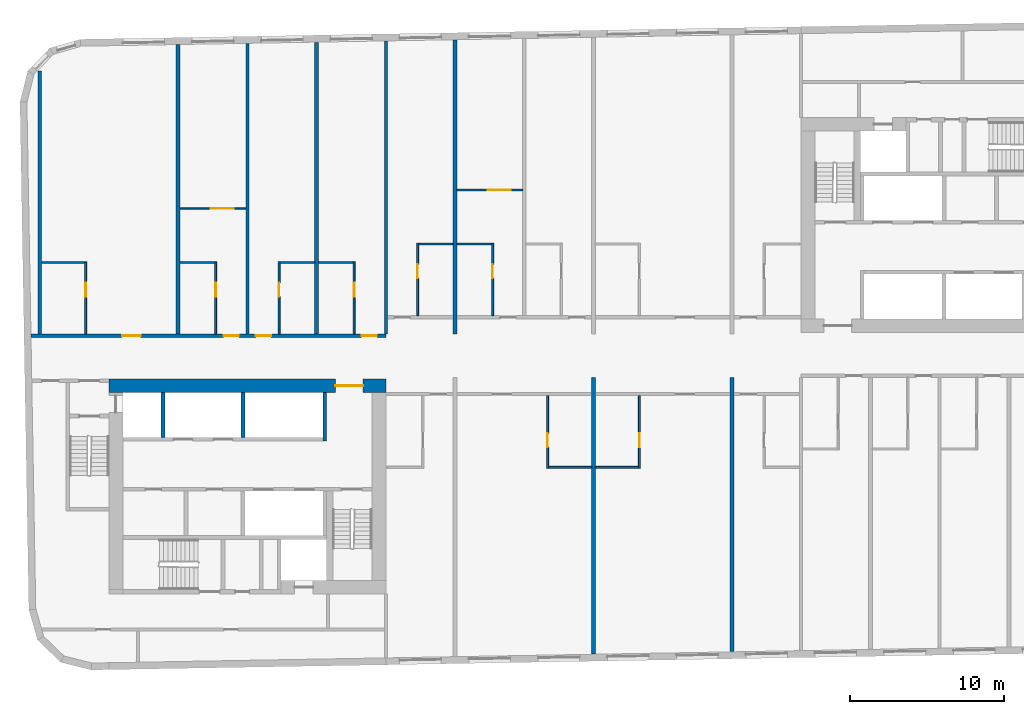
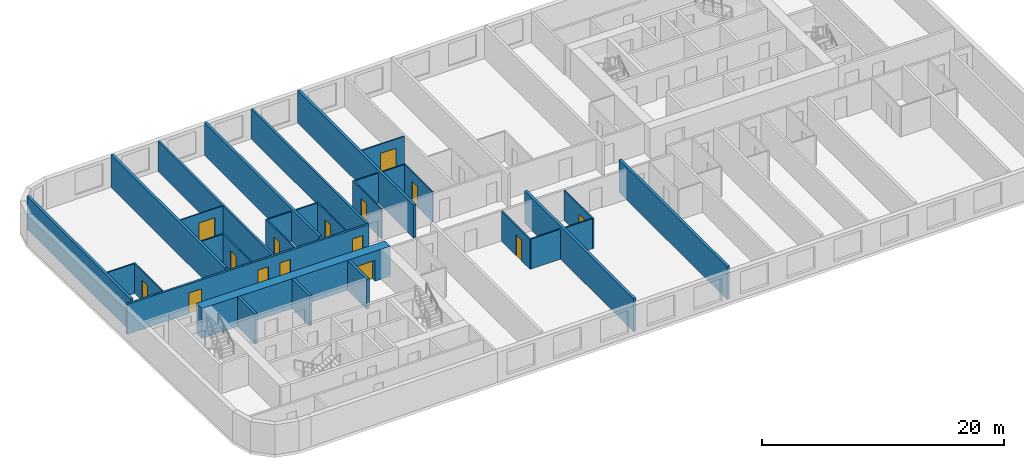
# One storey, part 3 of 11: 31 walls, 15 doors, 15 openings.
"""IFC4 building model written with IfcOpenShell, lengths in metres."""

from ifc_helpers import new_model, si_unit, direction, frame, frame_2d, origin, place, context, subcontext, project, spatial, rectangle, extrude, material, layer, layer_set, type_object, element, fill, save


model = new_model("IFC4")

# Units and contexts
model_context = context("Model", 3, precision=1e-05, world=origin(), true_north=direction((0.0, 1.0)))
body_context = subcontext(model_context, "Body", "Model", "MODEL_VIEW")
ifc_project = project(units=[si_unit("LENGTHUNIT", "METRE"), si_unit("AREAUNIT", "SQUARE_METRE"), si_unit("VOLUMEUNIT", "CUBIC_METRE"), si_unit("PLANEANGLEUNIT", "RADIAN"), si_unit("MASSUNIT", "GRAM", prefix="KILO")], contexts=[model_context])

# Site, building, storey
site_placement = place(None, origin())
site = spatial("IfcSite", under=ifc_project, at=site_placement, CompositionType="ELEMENT")
building_placement = place(site_placement, origin())
building = spatial("IfcBuilding", under=site, at=building_placement, Name="Kajstack Hotel Tower", CompositionType="ELEMENT")
storey_placement = place(building_placement, frame((0.0, 0.0, 250.699951171875)))
storey = spatial("IfcBuildingStorey", under=building, at=storey_placement, Name="L62", CompositionType="ELEMENT", Elevation=250.699951171875)

# Wall, opening, door
ifc_material_1 = material(Name="Concrete C60/75", Category="concrete")
ifc_layer_1 = layer(ifc_material_1, 0.89990234375)
ifc_layer_set_1 = layer_set([ifc_layer_1], Name="Core wall 900")
wall_type_1 = type_object("IfcWallType", Name="Core wall 900", PredefinedType="SHEAR", material=ifc_layer_set_1)
wall_1_placement = place(storey_placement, frame((-31.5, -1.949951171875, 0.0), z_axis=(0.0, 0.0, 1.0), x_axis=(1.0, 0.0, 0.0)))
wall_1 = element("IfcWall", 1, at=wall_1_placement, inside=storey, type_object=wall_type_1, Name="Core wall W RN", PredefinedType="SHEAR", context=body_context, shape_type="SweptSolid", body=[
    extrude(rectangle(XDim=18.0, YDim=0.89990234375, at=frame_2d((9.0, 0.0))), origin(), (0.0, 0.0, 1.0), 3.02001953125),
])
opening_1_placement = place(wall_1_placement, frame((14.72509765625, 0.0, 0.0)))
opening_1 = element("IfcOpeningElement", 2, at=opening_1_placement, cuts=wall_1, Name="Opening 62W07", PredefinedType="OPENING", context=body_context, shape_type="SweptSolid", body=[
    extrude(rectangle(XDim=1.800048828125, YDim=2.10009765625, at=frame_2d((0.89990234375, 1.050048828125))), frame((0.0, 0.4599609375, 0.0), z_axis=(0.0, -1.0, 0.0), x_axis=(1.0, 0.0, 0.0)), (0.0, 0.0, 1.0), 0.919921875),
])
ifc_material_2 = material(Name="Glazed steel frame, fire-rated glass", Category="steel")
door_type_1 = type_object("IfcDoorType", Name="Lobby double door 1800", OperationType="DOUBLE_DOOR_DOUBLE_SWING", PredefinedType="DOOR", material=ifc_material_2)
door_1_placement = place(opening_1_placement, origin())
door_1 = element("IfcDoor", 3, at=door_1_placement, inside=storey, type_object=door_type_1, Name="Door 62W07", OperationType="DOUBLE_DOOR_DOUBLE_SWING", OverallHeight=2.10009765625, OverallWidth=1.800048828125, PredefinedType="DOOR", context=body_context, shape_type="SweptSolid", body=[
    extrude(rectangle(XDim=1.800048828125, YDim=2.10009765625, at=frame_2d((0.89990234375, 1.050048828125))), frame((0.0, 0.02490234375, 0.0), z_axis=(0.0, -1.0, 0.0), x_axis=(1.0, 0.0, 0.0)), (0.0, 0.0, 1.0), 0.050048828125),
])
fill(opening_1, door_1)

# Wall, openings, doors
ifc_material_3 = material(Name="Gypsum board on steel studs, mineral wool", Category="steel")
ifc_layer_2 = layer(ifc_material_3, 0.199951171875)
ifc_layer_set_2 = layer_set([ifc_layer_2], Name="Corridor wall 200")
wall_type_2 = type_object("IfcWallType", Name="Corridor wall 200", PredefinedType="PARTITIONING", material=ifc_layer_set_2)
wall_2_placement = place(storey_placement, frame((-36.56591796875, 1.300048828125, 0.0), z_axis=(0.0, 0.0, 1.0), x_axis=(1.0, 0.0, 0.0)))
wall_2 = element("IfcWall", 4, at=wall_2_placement, inside=storey, type_object=wall_type_2, Name="G-wall-L62-003", PredefinedType="PARTITIONING", context=body_context, shape_type="SweptSolid", body=[
    extrude(rectangle(XDim=23.06591796875, YDim=0.199951171875, at=frame_2d((11.532958984375, 0.0))), origin(), (0.0, 0.0, 1.0), 3.02001953125),
])
opening_2_placement = place(wall_2_placement, frame((5.928955078125, 0.0, 0.0)))
opening_2 = element("IfcOpeningElement", 5, at=opening_2_placement, cuts=wall_2, Name="Opening 62001", PredefinedType="OPENING", context=body_context, shape_type="SweptSolid", body=[
    extrude(rectangle(XDim=1.199951171875, YDim=2.10009765625, at=frame_2d((0.60009765625, 1.050048828125))), frame((0.0, 0.10986328125, 0.0), z_axis=(0.0, -1.0, 0.0), x_axis=(1.0, 0.0, 0.0)), (0.0, 0.0, 1.0), 0.219970703125),
])
opening_3_placement = place(wall_2_placement, frame((12.51611328125, 0.0, 0.0)))
opening_3 = element("IfcOpeningElement", 6, at=opening_3_placement, cuts=wall_2, Name="Opening 62003", PredefinedType="OPENING", context=body_context, shape_type="SweptSolid", body=[
    extrude(rectangle(XDim=1.0, YDim=2.10009765625, at=frame_2d((0.5, 1.050048828125))), frame((0.0, 0.10986328125, 0.0), z_axis=(0.0, -1.0, 0.0), x_axis=(1.0, 0.0, 0.0)), (0.0, 0.0, 1.0), 0.219970703125),
])
opening_4_placement = place(wall_2_placement, frame((14.615966796875, 0.0, 0.0)))
opening_4 = element("IfcOpeningElement", 7, at=opening_4_placement, cuts=wall_2, Name="Opening 62006", PredefinedType="OPENING", context=body_context, shape_type="SweptSolid", body=[
    extrude(rectangle(XDim=1.0, YDim=2.10009765625, at=frame_2d((0.5, 1.050048828125))), frame((0.0, 0.10986328125, 0.0), z_axis=(0.0, -1.0, 0.0), x_axis=(1.0, 0.0, 0.0)), (0.0, 0.0, 1.0), 0.219970703125),
])
opening_5_placement = place(wall_2_placement, frame((21.490966796875, 0.0, 0.0)))
opening_5 = element("IfcOpeningElement", 8, at=opening_5_placement, cuts=wall_2, Name="Opening 62008", PredefinedType="OPENING", context=body_context, shape_type="SweptSolid", body=[
    extrude(rectangle(XDim=1.0, YDim=2.10009765625, at=frame_2d((0.5, 1.050048828125))), frame((0.0, 0.10986328125, 0.0), z_axis=(0.0, -1.0, 0.0), x_axis=(1.0, 0.0, 0.0)), (0.0, 0.0, 1.0), 0.219970703125),
])
ifc_material_4 = material(Name="Oak veneer on timber core, fire-rated leaf", Category="wood")
door_type_2 = type_object("IfcDoorType", Name="Flat entrance door 1000", OperationType="SINGLE_SWING_LEFT", PredefinedType="DOOR", material=ifc_material_4)
door_2_placement = place(opening_3_placement, origin())
door_2 = element("IfcDoor", 9, at=door_2_placement, inside=storey, type_object=door_type_2, Name="G-door-L62-03", OperationType="SINGLE_SWING_LEFT", OverallHeight=2.10009765625, OverallWidth=1.0, PredefinedType="DOOR", context=body_context, shape_type="SweptSolid", body=[
    extrude(rectangle(XDim=1.0, YDim=2.10009765625, at=frame_2d((0.5, 1.050048828125))), frame((0.0, 0.02490234375, 0.0), z_axis=(0.0, -1.0, 0.0), x_axis=(1.0, 0.0, 0.0)), (0.0, 0.0, 1.0), 0.050048828125),
])
fill(opening_3, door_2)
door_3_placement = place(opening_4_placement, origin())
door_3 = element("IfcDoor", 10, at=door_3_placement, inside=storey, type_object=door_type_2, Name="G-door-L62-06", OperationType="SINGLE_SWING_LEFT", OverallHeight=2.10009765625, OverallWidth=1.0, PredefinedType="DOOR", context=body_context, shape_type="SweptSolid", body=[
    extrude(rectangle(XDim=1.0, YDim=2.10009765625, at=frame_2d((0.5, 1.050048828125))), frame((0.0, 0.02490234375, 0.0), z_axis=(0.0, -1.0, 0.0), x_axis=(1.0, 0.0, 0.0)), (0.0, 0.0, 1.0), 0.050048828125),
])
fill(opening_4, door_3)
door_4_placement = place(opening_5_placement, origin())
door_4 = element("IfcDoor", 11, at=door_4_placement, inside=storey, type_object=door_type_2, Name="G-door-L62-08", OperationType="SINGLE_SWING_LEFT", OverallHeight=2.10009765625, OverallWidth=1.0, PredefinedType="DOOR", context=body_context, shape_type="SweptSolid", body=[
    extrude(rectangle(XDim=1.0, YDim=2.10009765625, at=frame_2d((0.5, 1.050048828125))), frame((0.0, 0.02490234375, 0.0), z_axis=(0.0, -1.0, 0.0), x_axis=(1.0, 0.0, 0.0)), (0.0, 0.0, 1.0), 0.050048828125),
])
fill(opening_5, door_4)
door_type_3 = type_object("IfcDoorType", Name="Flat entrance door 1200", OperationType="SINGLE_SWING_LEFT", PredefinedType="DOOR", material=ifc_material_4)
door_5_placement = place(opening_2_placement, origin())
door_5 = element("IfcDoor", 12, at=door_5_placement, inside=storey, type_object=door_type_3, Name="G-door-L62-01", OperationType="SINGLE_SWING_RIGHT", OverallHeight=2.10009765625, OverallWidth=1.199951171875, PredefinedType="DOOR", context=body_context, shape_type="SweptSolid", body=[
    extrude(rectangle(XDim=1.199951171875, YDim=2.10009765625, at=frame_2d((0.60009765625, 1.050048828125))), frame((0.0, 0.02490234375, 0.0), z_axis=(0.0, -1.0, 0.0), x_axis=(1.0, 0.0, 0.0)), (0.0, 0.0, 1.0), 0.050048828125),
])
fill(opening_2, door_5)

# Walls
ifc_material_5 = material(Name="Twin-frame gypsum board on steel studs, mineral wool", Category="steel")
ifc_layer_3 = layer(ifc_material_5, 0.199951171875)
ifc_layer_set_3 = layer_set([ifc_layer_3], Name="Demising wall 200")
wall_type_3 = type_object("IfcWallType", Name="Demising wall 200", PredefinedType="PARTITIONING", material=ifc_layer_set_3)
wall_3_placement = place(storey_placement, frame((-22.5, 1.39990234375, 0.0), z_axis=(0.0, 0.0, 1.0), x_axis=(0.0, 1.0, 0.0)))
element("IfcWall", 13, at=wall_3_placement, inside=storey, type_object=wall_type_3, Name="G-wall-L62-007", PredefinedType="PARTITIONING", context=body_context, shape_type="SweptSolid", body=[
    extrude(rectangle(XDim=18.908203125, YDim=0.199951171875, at=frame_2d((9.4541015625, 0.0))), origin(), (0.0, 0.0, 1.0), 3.02001953125),
])
wall_4_placement = place(storey_placement, frame((-13.5, 1.39990234375, 0.0), z_axis=(0.0, 0.0, 1.0), x_axis=(0.0, 1.0, 0.0)))
element("IfcWall", 14, at=wall_4_placement, inside=storey, type_object=wall_type_3, Name="G-wall-L62-013", PredefinedType="PARTITIONING", context=body_context, shape_type="SweptSolid", body=[
    extrude(rectangle(XDim=19.065185546875, YDim=0.199951171875, at=frame_2d((9.53271484375, 0.0))), origin(), (0.0, 0.0, 1.0), 3.02001953125),
])

# Wall, opening, door
ifc_material_6 = material(Name="Gypsum board and tiled backer on steel studs", Category="steel")
ifc_layer_4 = layer(ifc_material_6, 0.125)
ifc_layer_set_4 = layer_set([ifc_layer_4], Name="En-suite wall 125")
wall_type_4 = type_object("IfcWallType", Name="En-suite wall 125", PredefinedType="PARTITIONING", material=ifc_layer_set_4)
wall_5_placement = place(storey_placement, frame((-33.012939453125, 1.39990234375, 0.0), z_axis=(0.0, 0.0, 1.0), x_axis=(0.0, 1.0, 0.0)))
wall_5 = element("IfcWall", 15, at=wall_5_placement, inside=storey, type_object=wall_type_4, Name="G-wall-L62-005", PredefinedType="PARTITIONING", context=body_context, shape_type="SweptSolid", body=[
    extrude(rectangle(XDim=4.72509765625, YDim=0.125, at=frame_2d((2.362548828125, 0.0))), origin(), (0.0, 0.0, 1.0), 3.02001953125),
])
opening_6_placement = place(wall_5_placement, frame((2.449951171875, 0.0, 0.0)))
opening_6 = element("IfcOpeningElement", 16, at=opening_6_placement, cuts=wall_5, Name="Opening 62002", PredefinedType="OPENING", context=body_context, shape_type="SweptSolid", body=[
    extrude(rectangle(XDim=0.89990234375, YDim=2.10009765625, at=frame_2d((0.449951171875, 1.050048828125))), frame((0.0, 0.072509765625, 0.0), z_axis=(0.0, -1.0, 0.0), x_axis=(1.0, 0.0, 0.0)), (0.0, 0.0, 1.0), 0.14501953125),
])
ifc_material_7 = material(Name="Painted timber door leaf", Category="wood")
door_type_4 = type_object("IfcDoorType", Name="Room door 900", OperationType="SINGLE_SWING_LEFT", PredefinedType="DOOR", material=ifc_material_7)
door_6_placement = place(opening_6_placement, origin())
door_6 = element("IfcDoor", 17, at=door_6_placement, inside=storey, type_object=door_type_4, Name="G-door-L62-02", OperationType="SINGLE_SWING_LEFT", OverallHeight=2.10009765625, OverallWidth=0.89990234375, PredefinedType="DOOR", context=body_context, shape_type="SweptSolid", body=[
    extrude(rectangle(XDim=0.89990234375, YDim=2.10009765625, at=frame_2d((0.449951171875, 1.050048828125))), frame((0.0, 0.02490234375, 0.0), z_axis=(0.0, -1.0, 0.0), x_axis=(1.0, 0.0, 0.0)), (0.0, 0.0, 1.0), 0.050048828125),
])
fill(opening_6, door_6)

# Wall
wall_6_placement = place(storey_placement, frame((-35.875, 6.06201171875, 0.0), z_axis=(0.0, 0.0, 1.0), x_axis=(1.0, 0.0, 0.0)))
element("IfcWall", 18, at=wall_6_placement, inside=storey, type_object=wall_type_4, Name="G-wall-L62-006", PredefinedType="PARTITIONING", context=body_context, shape_type="SweptSolid", body=[
    extrude(rectangle(XDim=2.800048828125, YDim=0.125, at=frame_2d((1.39990234375, 0.0))), origin(), (0.0, 0.0, 1.0), 3.02001953125),
])

# Wall, opening, door
wall_7_placement = place(storey_placement, frame((-24.56201171875, 1.39990234375, 0.0), z_axis=(0.0, 0.0, 1.0), x_axis=(0.0, 1.0, 0.0)))
wall_7 = element("IfcWall", 19, at=wall_7_placement, inside=storey, type_object=wall_type_4, Name="G-wall-L62-008", PredefinedType="PARTITIONING", context=body_context, shape_type="SweptSolid", body=[
    extrude(rectangle(XDim=4.72509765625, YDim=0.125, at=frame_2d((2.362548828125, 0.0))), origin(), (0.0, 0.0, 1.0), 3.02001953125),
])
opening_7_placement = place(wall_7_placement, frame((2.449951171875, 0.0, 0.0)))
opening_7 = element("IfcOpeningElement", 20, at=opening_7_placement, cuts=wall_7, Name="Opening 62004", PredefinedType="OPENING", context=body_context, shape_type="SweptSolid", body=[
    extrude(rectangle(XDim=0.89990234375, YDim=2.10009765625, at=frame_2d((0.449951171875, 1.050048828125))), frame((0.0, 0.072509765625, 0.0), z_axis=(0.0, -1.0, 0.0), x_axis=(1.0, 0.0, 0.0)), (0.0, 0.0, 1.0), 0.14501953125),
])
door_7_placement = place(opening_7_placement, origin())
door_7 = element("IfcDoor", 21, at=door_7_placement, inside=storey, type_object=door_type_4, Name="G-door-L62-04", OperationType="SINGLE_SWING_RIGHT", OverallHeight=2.10009765625, OverallWidth=0.89990234375, PredefinedType="DOOR", context=body_context, shape_type="SweptSolid", body=[
    extrude(rectangle(XDim=0.89990234375, YDim=2.10009765625, at=frame_2d((0.449951171875, 1.050048828125))), frame((0.0, 0.02490234375, 0.0), z_axis=(0.0, -1.0, 0.0), x_axis=(1.0, 0.0, 0.0)), (0.0, 0.0, 1.0), 0.050048828125),
])
fill(opening_7, door_7)

# Wall
wall_8_placement = place(storey_placement, frame((-26.875, 6.06201171875, 0.0), z_axis=(0.0, 0.0, 1.0), x_axis=(1.0, 0.0, 0.0)))
element("IfcWall", 22, at=wall_8_placement, inside=storey, type_object=wall_type_4, Name="G-wall-L62-009", PredefinedType="PARTITIONING", context=body_context, shape_type="SweptSolid", body=[
    extrude(rectangle(XDim=2.25, YDim=0.125, at=frame_2d((1.125, 0.0))), origin(), (0.0, 0.0, 1.0), 3.02001953125),
])

# Wall, opening, door
wall_9_placement = place(storey_placement, frame((-20.43798828125, 1.39990234375, 0.0), z_axis=(0.0, 0.0, 1.0), x_axis=(0.0, 1.0, 0.0)))
wall_9 = element("IfcWall", 23, at=wall_9_placement, inside=storey, type_object=wall_type_4, Name="G-wall-L62-011", PredefinedType="PARTITIONING", context=body_context, shape_type="SweptSolid", body=[
    extrude(rectangle(XDim=4.72509765625, YDim=0.125, at=frame_2d((2.362548828125, 0.0))), origin(), (0.0, 0.0, 1.0), 3.02001953125),
])
opening_8_placement = place(wall_9_placement, frame((2.449951171875, 0.0, 0.0)))
opening_8 = element("IfcOpeningElement", 24, at=opening_8_placement, cuts=wall_9, Name="Opening 62007", PredefinedType="OPENING", context=body_context, shape_type="SweptSolid", body=[
    extrude(rectangle(XDim=0.89990234375, YDim=2.10009765625, at=frame_2d((0.449951171875, 1.050048828125))), frame((0.0, 0.072509765625, 0.0), z_axis=(0.0, -1.0, 0.0), x_axis=(1.0, 0.0, 0.0)), (0.0, 0.0, 1.0), 0.14501953125),
])
door_8_placement = place(opening_8_placement, origin())
door_8 = element("IfcDoor", 25, at=door_8_placement, inside=storey, type_object=door_type_4, Name="G-door-L62-07", OperationType="SINGLE_SWING_LEFT", OverallHeight=2.10009765625, OverallWidth=0.89990234375, PredefinedType="DOOR", context=body_context, shape_type="SweptSolid", body=[
    extrude(rectangle(XDim=0.89990234375, YDim=2.10009765625, at=frame_2d((0.449951171875, 1.050048828125))), frame((0.0, 0.02490234375, 0.0), z_axis=(0.0, -1.0, 0.0), x_axis=(1.0, 0.0, 0.0)), (0.0, 0.0, 1.0), 0.050048828125),
])
fill(opening_8, door_8)

# Wall
wall_10_placement = place(storey_placement, frame((-20.375, 6.06201171875, 0.0), z_axis=(0.0, 0.0, 1.0), x_axis=(1.0, 0.0, 0.0)))
element("IfcWall", 26, at=wall_10_placement, inside=storey, type_object=wall_type_4, Name="G-wall-L62-012", PredefinedType="PARTITIONING", context=body_context, shape_type="SweptSolid", body=[
    extrude(rectangle(XDim=2.25, YDim=0.125, at=frame_2d((1.125, 0.0))), origin(), (0.0, 0.0, 1.0), 3.02001953125),
])

# Wall, opening, door
wall_11_placement = place(storey_placement, frame((-15.56201171875, 1.39990234375, 0.0), z_axis=(0.0, 0.0, 1.0), x_axis=(0.0, 1.0, 0.0)))
wall_11 = element("IfcWall", 27, at=wall_11_placement, inside=storey, type_object=wall_type_4, Name="G-wall-L62-014", PredefinedType="PARTITIONING", context=body_context, shape_type="SweptSolid", body=[
    extrude(rectangle(XDim=4.72509765625, YDim=0.125, at=frame_2d((2.362548828125, 0.0))), origin(), (0.0, 0.0, 1.0), 3.02001953125),
])
opening_9_placement = place(wall_11_placement, frame((2.449951171875, 0.0, 0.0)))
opening_9 = element("IfcOpeningElement", 28, at=opening_9_placement, cuts=wall_11, Name="Opening 62009", PredefinedType="OPENING", context=body_context, shape_type="SweptSolid", body=[
    extrude(rectangle(XDim=0.89990234375, YDim=2.10009765625, at=frame_2d((0.449951171875, 1.050048828125))), frame((0.0, 0.072509765625, 0.0), z_axis=(0.0, -1.0, 0.0), x_axis=(1.0, 0.0, 0.0)), (0.0, 0.0, 1.0), 0.14501953125),
])
door_9_placement = place(opening_9_placement, origin())
door_9 = element("IfcDoor", 29, at=door_9_placement, inside=storey, type_object=door_type_4, Name="G-door-L62-09", OperationType="SINGLE_SWING_RIGHT", OverallHeight=2.10009765625, OverallWidth=0.89990234375, PredefinedType="DOOR", context=body_context, shape_type="SweptSolid", body=[
    extrude(rectangle(XDim=0.89990234375, YDim=2.10009765625, at=frame_2d((0.449951171875, 1.050048828125))), frame((0.0, 0.02490234375, 0.0), z_axis=(0.0, -1.0, 0.0), x_axis=(1.0, 0.0, 0.0)), (0.0, 0.0, 1.0), 0.050048828125),
])
fill(opening_9, door_9)

# Wall
wall_12_placement = place(storey_placement, frame((-17.875, 6.06201171875, 0.0), z_axis=(0.0, 0.0, 1.0), x_axis=(1.0, 0.0, 0.0)))
element("IfcWall", 30, at=wall_12_placement, inside=storey, type_object=wall_type_4, Name="G-wall-L62-015", PredefinedType="PARTITIONING", context=body_context, shape_type="SweptSolid", body=[
    extrude(rectangle(XDim=2.25, YDim=0.125, at=frame_2d((1.125, 0.0))), origin(), (0.0, 0.0, 1.0), 3.02001953125),
])

# Wall, opening, door
wall_13_placement = place(storey_placement, frame((-11.43798828125, 2.60009765625, 0.0), z_axis=(0.0, 0.0, 1.0), x_axis=(0.0, 1.0, 0.0)))
wall_13 = element("IfcWall", 31, at=wall_13_placement, inside=storey, type_object=wall_type_4, Name="G-wall-L62-016", PredefinedType="PARTITIONING", context=body_context, shape_type="SweptSolid", body=[
    extrude(rectangle(XDim=4.724853515625, YDim=0.125, at=frame_2d((2.3623046875, 0.0))), origin(), (0.0, 0.0, 1.0), 3.02001953125),
])
opening_10_placement = place(wall_13_placement, frame((2.449951171875, 0.0, 0.0)))
opening_10 = element("IfcOpeningElement", 32, at=opening_10_placement, cuts=wall_13, Name="Opening 62011", PredefinedType="OPENING", context=body_context, shape_type="SweptSolid", body=[
    extrude(rectangle(XDim=0.89990234375, YDim=2.10009765625, at=frame_2d((0.449951171875, 1.050048828125))), frame((0.0, 0.072509765625, 0.0), z_axis=(0.0, -1.0, 0.0), x_axis=(1.0, 0.0, 0.0)), (0.0, 0.0, 1.0), 0.14501953125),
])
door_10_placement = place(opening_10_placement, origin())
door_10 = element("IfcDoor", 33, at=door_10_placement, inside=storey, type_object=door_type_4, Name="G-door-L62-11", OperationType="SINGLE_SWING_RIGHT", OverallHeight=2.10009765625, OverallWidth=0.89990234375, PredefinedType="DOOR", context=body_context, shape_type="SweptSolid", body=[
    extrude(rectangle(XDim=0.89990234375, YDim=2.10009765625, at=frame_2d((0.449951171875, 1.050048828125))), frame((0.0, 0.02490234375, 0.0), z_axis=(0.0, -1.0, 0.0), x_axis=(1.0, 0.0, 0.0)), (0.0, 0.0, 1.0), 0.050048828125),
])
fill(opening_10, door_10)

# Wall
wall_14_placement = place(storey_placement, frame((-11.375, 7.261962890625, 0.0), z_axis=(0.0, 0.0, 1.0), x_axis=(1.0, 0.0, 0.0)))
element("IfcWall", 34, at=wall_14_placement, inside=storey, type_object=wall_type_4, Name="G-wall-L62-017", PredefinedType="PARTITIONING", context=body_context, shape_type="SweptSolid", body=[
    extrude(rectangle(XDim=2.25, YDim=0.125, at=frame_2d((1.125, 0.0))), origin(), (0.0, 0.0, 1.0), 3.02001953125),
])

# Wall, opening, door
wall_15_placement = place(storey_placement, frame((-6.56201171875, 2.60009765625, 0.0), z_axis=(0.0, 0.0, 1.0), x_axis=(0.0, 1.0, 0.0)))
wall_15 = element("IfcWall", 35, at=wall_15_placement, inside=storey, type_object=wall_type_4, Name="G-wall-L62-019", PredefinedType="PARTITIONING", context=body_context, shape_type="SweptSolid", body=[
    extrude(rectangle(XDim=4.724853515625, YDim=0.125, at=frame_2d((2.3623046875, 0.0))), origin(), (0.0, 0.0, 1.0), 3.02001953125),
])
opening_11_placement = place(wall_15_placement, frame((2.449951171875, 0.0, 0.0)))
opening_11 = element("IfcOpeningElement", 36, at=opening_11_placement, cuts=wall_15, Name="Opening 62013", PredefinedType="OPENING", context=body_context, shape_type="SweptSolid", body=[
    extrude(rectangle(XDim=0.89990234375, YDim=2.10009765625, at=frame_2d((0.449951171875, 1.050048828125))), frame((0.0, 0.072509765625, 0.0), z_axis=(0.0, -1.0, 0.0), x_axis=(1.0, 0.0, 0.0)), (0.0, 0.0, 1.0), 0.14501953125),
])
door_11_placement = place(opening_11_placement, origin())
door_11 = element("IfcDoor", 37, at=door_11_placement, inside=storey, type_object=door_type_4, Name="G-door-L62-13", OperationType="SINGLE_SWING_LEFT", OverallHeight=2.10009765625, OverallWidth=0.89990234375, PredefinedType="DOOR", context=body_context, shape_type="SweptSolid", body=[
    extrude(rectangle(XDim=0.89990234375, YDim=2.10009765625, at=frame_2d((0.449951171875, 1.050048828125))), frame((0.0, 0.02490234375, 0.0), z_axis=(0.0, -1.0, 0.0), x_axis=(1.0, 0.0, 0.0)), (0.0, 0.0, 1.0), 0.050048828125),
])
fill(opening_11, door_11)

# Wall
wall_16_placement = place(storey_placement, frame((-8.875, 7.261962890625, 0.0), z_axis=(0.0, 0.0, 1.0), x_axis=(1.0, 0.0, 0.0)))
element("IfcWall", 38, at=wall_16_placement, inside=storey, type_object=wall_type_4, Name="G-wall-L62-020", PredefinedType="PARTITIONING", context=body_context, shape_type="SweptSolid", body=[
    extrude(rectangle(XDim=2.25, YDim=0.125, at=frame_2d((1.125, 0.0))), origin(), (0.0, 0.0, 1.0), 3.02001953125),
])

# Wall, opening, door
wall_17_placement = place(storey_placement, frame((-2.987060546875, -7.324951171875, 0.0), z_axis=(0.0, 0.0, 1.0), x_axis=(0.0, 1.0, 0.0)))
wall_17 = element("IfcWall", 39, at=wall_17_placement, inside=storey, type_object=wall_type_4, Name="G-wall-L62-032", PredefinedType="PARTITIONING", context=body_context, shape_type="SweptSolid", body=[
    extrude(rectangle(XDim=4.724853515625, YDim=0.125, at=frame_2d((2.3623046875, 0.0))), origin(), (0.0, 0.0, 1.0), 3.02001953125),
])
opening_12_placement = place(wall_17_placement, frame((1.375, 0.0, 0.0)))
opening_12 = element("IfcOpeningElement", 40, at=opening_12_placement, cuts=wall_17, Name="Opening 62024", PredefinedType="OPENING", context=body_context, shape_type="SweptSolid", body=[
    extrude(rectangle(XDim=0.89990234375, YDim=2.10009765625, at=frame_2d((0.449951171875, 1.050048828125))), frame((0.0, 0.072509765625, 0.0), z_axis=(0.0, -1.0, 0.0), x_axis=(1.0, 0.0, 0.0)), (0.0, 0.0, 1.0), 0.14501953125),
])
door_12_placement = place(opening_12_placement, origin())
door_12 = element("IfcDoor", 41, at=door_12_placement, inside=storey, type_object=door_type_4, Name="G-door-L62-24", OperationType="SINGLE_SWING_RIGHT", OverallHeight=2.10009765625, OverallWidth=0.89990234375, PredefinedType="DOOR", context=body_context, shape_type="SweptSolid", body=[
    extrude(rectangle(XDim=0.89990234375, YDim=2.10009765625, at=frame_2d((0.449951171875, 1.050048828125))), frame((0.0, 0.02490234375, 0.0), z_axis=(0.0, -1.0, 0.0), x_axis=(1.0, 0.0, 0.0)), (0.0, 0.0, 1.0), 0.050048828125),
])
fill(opening_12, door_12)

# Wall
wall_18_placement = place(storey_placement, frame((-2.925048828125, -7.261962890625, 0.0), z_axis=(0.0, 0.0, 1.0), x_axis=(1.0, 0.0, 0.0)))
element("IfcWall", 42, at=wall_18_placement, inside=storey, type_object=wall_type_4, Name="G-wall-L62-033", PredefinedType="PARTITIONING", context=body_context, shape_type="SweptSolid", body=[
    extrude(rectangle(XDim=2.800048828125, YDim=0.125, at=frame_2d((1.39990234375, 0.0))), origin(), (0.0, 0.0, 1.0), 3.02001953125),
])

# Wall, opening, door
wall_19_placement = place(storey_placement, frame((2.987060546875, -7.324951171875, 0.0), z_axis=(0.0, 0.0, 1.0), x_axis=(0.0, 1.0, 0.0)))
wall_19 = element("IfcWall", 43, at=wall_19_placement, inside=storey, type_object=wall_type_4, Name="G-wall-L62-034", PredefinedType="PARTITIONING", context=body_context, shape_type="SweptSolid", body=[
    extrude(rectangle(XDim=4.724853515625, YDim=0.125, at=frame_2d((2.3623046875, 0.0))), origin(), (0.0, 0.0, 1.0), 3.02001953125),
])
opening_13_placement = place(wall_19_placement, frame((1.375, 0.0, 0.0)))
opening_13 = element("IfcOpeningElement", 44, at=opening_13_placement, cuts=wall_19, Name="Opening 62026", PredefinedType="OPENING", context=body_context, shape_type="SweptSolid", body=[
    extrude(rectangle(XDim=0.89990234375, YDim=2.10009765625, at=frame_2d((0.449951171875, 1.050048828125))), frame((0.0, 0.072509765625, 0.0), z_axis=(0.0, -1.0, 0.0), x_axis=(1.0, 0.0, 0.0)), (0.0, 0.0, 1.0), 0.14501953125),
])
door_13_placement = place(opening_13_placement, origin())
door_13 = element("IfcDoor", 45, at=door_13_placement, inside=storey, type_object=door_type_4, Name="G-door-L62-26", OperationType="SINGLE_SWING_RIGHT", OverallHeight=2.10009765625, OverallWidth=0.89990234375, PredefinedType="DOOR", context=body_context, shape_type="SweptSolid", body=[
    extrude(rectangle(XDim=0.89990234375, YDim=2.10009765625, at=frame_2d((0.449951171875, 1.050048828125))), frame((0.0, 0.02490234375, 0.0), z_axis=(0.0, -1.0, 0.0), x_axis=(1.0, 0.0, 0.0)), (0.0, 0.0, 1.0), 0.050048828125),
])
fill(opening_13, door_13)

# Walls
wall_20_placement = place(storey_placement, frame((0.125, -7.261962890625, 0.0), z_axis=(0.0, 0.0, 1.0), x_axis=(1.0, 0.0, 0.0)))
element("IfcWall", 46, at=wall_20_placement, inside=storey, type_object=wall_type_4, Name="G-wall-L62-035", PredefinedType="PARTITIONING", context=body_context, shape_type="SweptSolid", body=[
    extrude(rectangle(XDim=2.800048828125, YDim=0.125, at=frame_2d((1.39990234375, 0.0))), origin(), (0.0, 0.0, 1.0), 3.02001953125),
])
ifc_material_8 = material(Name="Concrete C50/60", Category="concrete")
ifc_layer_5 = layer(ifc_material_8, 0.300048828125)
ifc_layer_set_5 = layer_set([ifc_layer_5], Name="Hoistway divider wall 300")
wall_type_5 = type_object("IfcWallType", Name="Hoistway divider wall 300", PredefinedType="SHEAR", material=ifc_layer_set_5)
wall_21_placement = place(storey_placement, frame((-22.77490234375, -5.300048828125, 0.0), z_axis=(0.0, 0.0, 1.0), x_axis=(0.0, 1.0, 0.0)))
element("IfcWall", 47, at=wall_21_placement, inside=storey, type_object=wall_type_5, Name="Core wall W AP2", PredefinedType="SHEAR", context=body_context, shape_type="SweptSolid", body=[
    extrude(rectangle(XDim=2.900146484375, YDim=0.25, at=frame_2d((1.4501953125, 0.0))), origin(), (0.0, 0.0, 1.0), 3.02001953125),
])

# Wall, opening, door
ifc_material_9 = material(Name="Gypsum board on steel studs", Category="steel")
ifc_layer_6 = layer(ifc_material_9, 0.10009765625)
ifc_layer_set_6 = layer_set([ifc_layer_6], Name="Partition 100")
wall_type_6 = type_object("IfcWallType", Name="Partition 100", PredefinedType="PARTITIONING", material=ifc_layer_set_6)
wall_22_placement = place(storey_placement, frame((-26.875, 9.574951171875, 0.0), z_axis=(0.0, 0.0, 1.0), x_axis=(1.0, 0.0, 0.0)))
wall_22 = element("IfcWall", 48, at=wall_22_placement, inside=storey, type_object=wall_type_6, Name="G-wall-L62-010", PredefinedType="PARTITIONING", context=body_context, shape_type="SweptSolid", body=[
    extrude(rectangle(XDim=4.27490234375, YDim=0.10009765625, at=frame_2d((2.137451171875, 0.0))), origin(), (0.0, 0.0, 1.0), 3.02001953125),
])
opening_14_placement = place(wall_22_placement, frame((1.988037109375, 0.0, 0.0)))
opening_14 = element("IfcOpeningElement", 49, at=opening_14_placement, cuts=wall_22, Name="Opening 62005", PredefinedType="OPENING", context=body_context, shape_type="SweptSolid", body=[
    extrude(rectangle(XDim=1.5, YDim=2.10009765625, at=frame_2d((0.75, 1.050048828125))), frame((0.0, 0.06005859375, 0.0), z_axis=(0.0, -1.0, 0.0), x_axis=(1.0, 0.0, 0.0)), (0.0, 0.0, 1.0), 0.1201171875),
])
ifc_material_10 = material(Name="Painted timber door leaves, glazed panels", Category="wood")
door_type_5 = type_object("IfcDoorType", Name="Double door 1500", OperationType="SINGLE_SWING_LEFT", PredefinedType="DOOR", material=ifc_material_10)
door_14_placement = place(opening_14_placement, origin())
door_14 = element("IfcDoor", 50, at=door_14_placement, inside=storey, type_object=door_type_5, Name="G-door-L62-05", OperationType="SINGLE_SWING_RIGHT", OverallHeight=2.10009765625, OverallWidth=1.5, PredefinedType="DOOR", context=body_context, shape_type="SweptSolid", body=[
    extrude(rectangle(XDim=1.5, YDim=2.10009765625, at=frame_2d((0.75, 1.050048828125))), frame((0.0, 0.02490234375, 0.0), z_axis=(0.0, -1.0, 0.0), x_axis=(1.0, 0.0, 0.0)), (0.0, 0.0, 1.0), 0.050048828125),
])
fill(opening_14, door_14)

wall_23_placement = place(storey_placement, frame((-8.875, 10.77490234375, 0.0), z_axis=(0.0, 0.0, 1.0), x_axis=(1.0, 0.0, 0.0)))
wall_23 = element("IfcWall", 51, at=wall_23_placement, inside=storey, type_object=wall_type_6, Name="G-wall-L62-021", PredefinedType="PARTITIONING", context=body_context, shape_type="SweptSolid", body=[
    extrude(rectangle(XDim=4.27490234375, YDim=0.10009765625, at=frame_2d((2.137451171875, 0.0))), origin(), (0.0, 0.0, 1.0), 3.02001953125),
])
opening_15_placement = place(wall_23_placement, frame((1.987060546875, 0.0, 0.0)))
opening_15 = element("IfcOpeningElement", 52, at=opening_15_placement, cuts=wall_23, Name="Opening 62014", PredefinedType="OPENING", context=body_context, shape_type="SweptSolid", body=[
    extrude(rectangle(XDim=1.5, YDim=2.10009765625, at=frame_2d((0.75, 1.050048828125))), frame((0.0, 0.06005859375, 0.0), z_axis=(0.0, -1.0, 0.0), x_axis=(1.0, 0.0, 0.0)), (0.0, 0.0, 1.0), 0.1201171875),
])
door_15_placement = place(opening_15_placement, origin())
door_15 = element("IfcDoor", 53, at=door_15_placement, inside=storey, type_object=door_type_5, Name="G-door-L62-14", OperationType="SINGLE_SWING_RIGHT", OverallHeight=2.10009765625, OverallWidth=1.5, PredefinedType="DOOR", context=body_context, shape_type="SweptSolid", body=[
    extrude(rectangle(XDim=1.5, YDim=2.10009765625, at=frame_2d((0.75, 1.050048828125))), frame((0.0, 0.02490234375, 0.0), z_axis=(0.0, -1.0, 0.0), x_axis=(1.0, 0.0, 0.0)), (0.0, 0.0, 1.0), 0.050048828125),
])
fill(opening_15, door_15)

# Walls
ifc_material_11 = material(Name="Concrete C45/55", Category="concrete")
ifc_layer_7 = layer(ifc_material_11, 0.25)
ifc_layer_set_7 = layer_set([ifc_layer_7], Name="RC cross wall 250 C45/55")
wall_type_7 = type_object("IfcWallType", Name="RC cross wall 250 C45/55", PredefinedType="SHEAR", material=ifc_layer_set_7)
wall_24_placement = place(storey_placement, frame((-36.0, 1.39990234375, 0.0), z_axis=(0.0, 0.0, 1.0), x_axis=(0.0, 1.0, 0.0)))
element("IfcWall", 54, at=wall_24_placement, inside=storey, type_object=wall_type_7, Name="S-wall-L62-01", PredefinedType="SHEAR", context=body_context, shape_type="SweptSolid", body=[
    extrude(rectangle(XDim=17.12548828125, YDim=0.25, at=frame_2d((8.562744140625, 0.0))), origin(), (0.0, 0.0, 1.0), 3.300048828125),
])
wall_25_placement = place(storey_placement, frame((-27.0, 1.39990234375, 0.0), z_axis=(0.0, 0.0, 1.0), x_axis=(0.0, 1.0, 0.0)))
element("IfcWall", 55, at=wall_25_placement, inside=storey, type_object=wall_type_7, Name="S-wall-L62-02", PredefinedType="SHEAR", context=body_context, shape_type="SweptSolid", body=[
    extrude(rectangle(XDim=18.8173828125, YDim=0.25, at=frame_2d((9.40869140625, 0.0))), origin(), (0.0, 0.0, 1.0), 3.300048828125),
])
wall_26_placement = place(storey_placement, frame((-18.0, 1.39990234375, 0.0), z_axis=(0.0, 0.0, 1.0), x_axis=(0.0, 1.0, 0.0)))
element("IfcWall", 56, at=wall_26_placement, inside=storey, type_object=wall_type_7, Name="S-wall-L62-03", PredefinedType="SHEAR", context=body_context, shape_type="SweptSolid", body=[
    extrude(rectangle(XDim=18.974365234375, YDim=0.25, at=frame_2d((9.4873046875, 0.0))), origin(), (0.0, 0.0, 1.0), 3.300048828125),
])
wall_27_placement = place(storey_placement, frame((-9.0, 1.39990234375, 0.0), z_axis=(0.0, 0.0, 1.0), x_axis=(0.0, 1.0, 0.0)))
element("IfcWall", 57, at=wall_27_placement, inside=storey, type_object=wall_type_7, Name="S-wall-L62-05", PredefinedType="SHEAR", context=body_context, shape_type="SweptSolid", body=[
    extrude(rectangle(XDim=19.131591796875, YDim=0.25, at=frame_2d((9.56591796875, 0.0))), origin(), (0.0, 0.0, 1.0), 3.300048828125),
])
wall_28_placement = place(storey_placement, frame((0.0, -19.393310546875, 0.0), z_axis=(0.0, 0.0, 1.0), x_axis=(0.0, 1.0, 0.0)))
element("IfcWall", 58, at=wall_28_placement, inside=storey, type_object=wall_type_7, Name="S-wall-L62-06", PredefinedType="SHEAR", context=body_context, shape_type="SweptSolid", body=[
    extrude(rectangle(XDim=17.993408203125, YDim=0.25, at=frame_2d((8.99658203125, 0.0))), origin(), (0.0, 0.0, 1.0), 3.300048828125),
])
wall_29_placement = place(storey_placement, frame((9.0, -19.236083984375, 0.0), z_axis=(0.0, 0.0, 1.0), x_axis=(0.0, 1.0, 0.0)))
element("IfcWall", 59, at=wall_29_placement, inside=storey, type_object=wall_type_7, Name="S-wall-L62-08", PredefinedType="SHEAR", context=body_context, shape_type="SweptSolid", body=[
    extrude(rectangle(XDim=17.836181640625, YDim=0.25, at=frame_2d((8.91796875, 0.0))), origin(), (0.0, 0.0, 1.0), 3.300048828125),
])
ifc_layer_8 = layer(ifc_material_8, 0.25)
ifc_layer_set_8 = layer_set([ifc_layer_8], Name="Shaft wall 250")
wall_type_8 = type_object("IfcWallType", Name="Shaft wall 250", PredefinedType="SHEAR", material=ifc_layer_set_8)
wall_30_placement = place(storey_placement, frame((-17.47509765625, -5.550048828125, 0.0), z_axis=(0.0, 0.0, 1.0), x_axis=(0.0, 1.0, 0.0)))
element("IfcWall", 60, at=wall_30_placement, inside=storey, type_object=wall_type_8, Name="Core wall W AE", PredefinedType="SHEAR", context=body_context, shape_type="SweptSolid", body=[
    extrude(rectangle(XDim=3.150146484375, YDim=0.25, at=frame_2d((1.5751953125, 0.0))), origin(), (0.0, 0.0, 1.0), 3.02001953125),
])
wall_31_placement = place(storey_placement, frame((-27.97509765625, -5.300048828125, 0.0), z_axis=(0.0, 0.0, 1.0), x_axis=(0.0, 1.0, 0.0)))
element("IfcWall", 61, at=wall_31_placement, inside=storey, type_object=wall_type_8, Name="Core wall W AP0", PredefinedType="SHEAR", context=body_context, shape_type="SweptSolid", body=[
    extrude(rectangle(XDim=2.900146484375, YDim=0.25, at=frame_2d((1.4501953125, 0.0))), origin(), (0.0, 0.0, 1.0), 3.02001953125),
])

save(model, "model.ifc")
